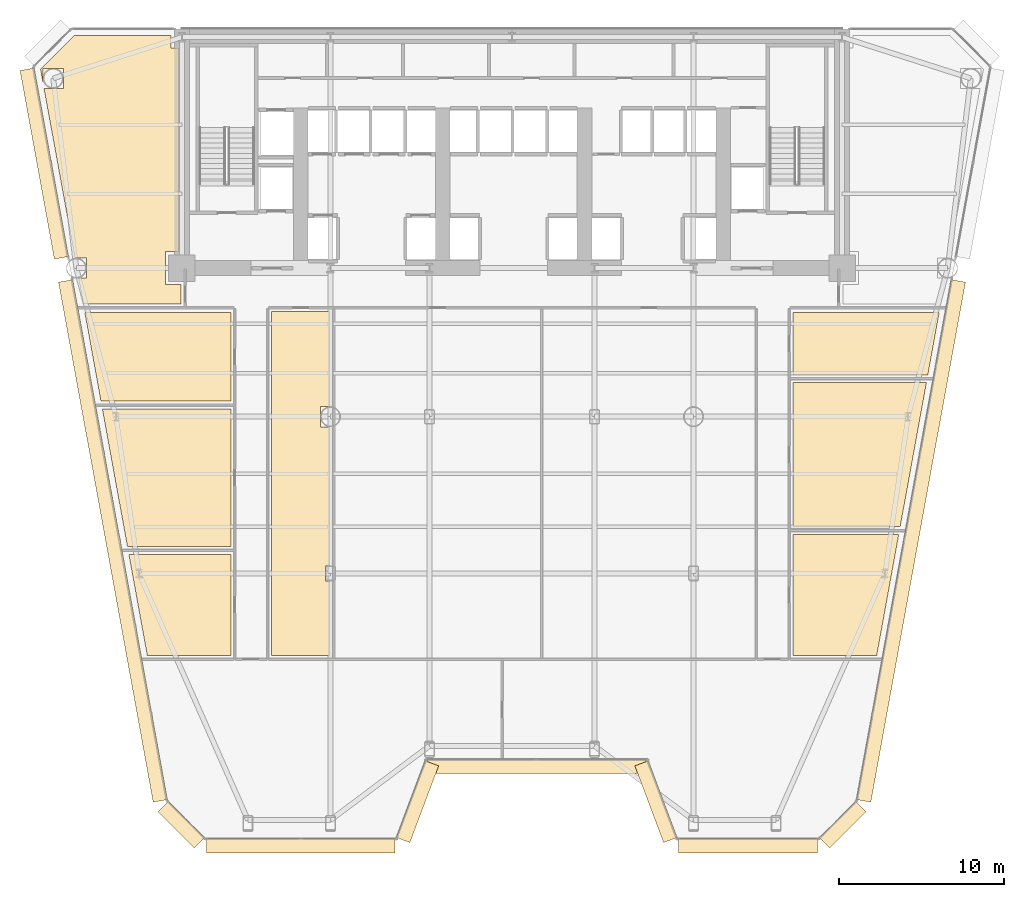
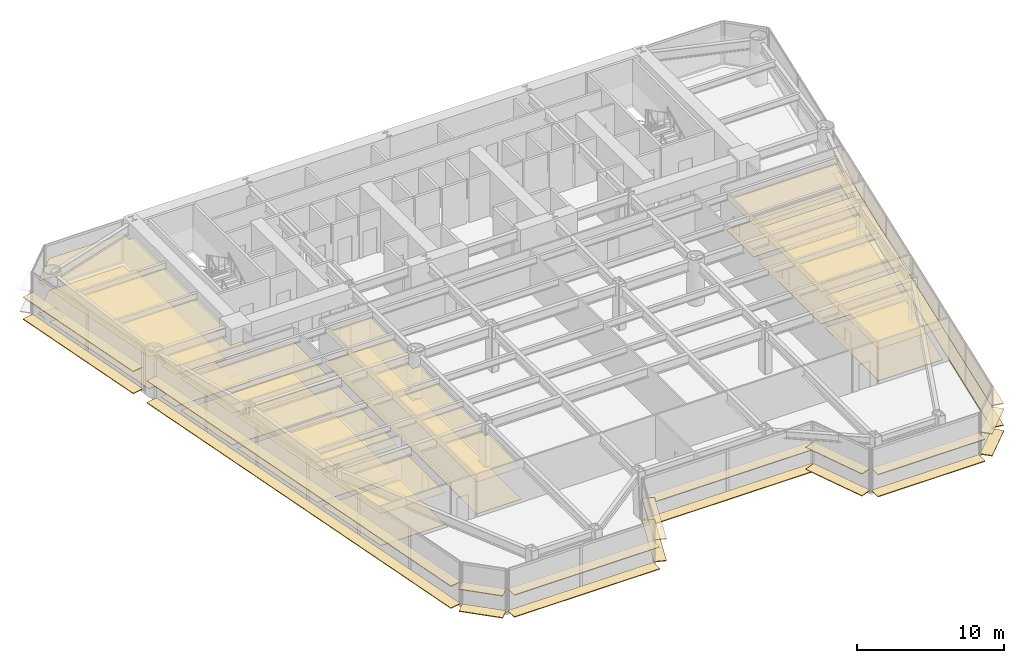
# One storey, part 11 of 14: 36 coverings.
"""IFC4 building model written with IfcOpenShell, lengths in metres."""

from ifc_helpers import new_model, si_unit, direction, frame, origin, origin_2d, place, context, subcontext, project, spatial, polyline, rectangle, outline, extrude, source, transform, mapped, material, layer, layer_set, type_object, element, save


model = new_model("IFC4")

# Units and contexts
model_context = context("Model", 3, precision=1e-05, world=origin(), true_north=direction((0.0, 1.0)))
body_context = subcontext(model_context, "Body", "Model", "MODEL_VIEW")
ifc_project = project(units=[si_unit("LENGTHUNIT", "METRE"), si_unit("AREAUNIT", "SQUARE_METRE"), si_unit("VOLUMEUNIT", "CUBIC_METRE"), si_unit("PLANEANGLEUNIT", "RADIAN"), si_unit("MASSUNIT", "GRAM", prefix="KILO")], contexts=[model_context])

# Site, building, storey
site_placement = place(None, origin())
site = spatial("IfcSite", under=ifc_project, at=site_placement, CompositionType="ELEMENT")
building_placement = place(site_placement, origin())
building = spatial("IfcBuilding", under=site, at=building_placement, Name="Vaeldorn Concourse Tower", CompositionType="ELEMENT")
storey_placement = place(building_placement, frame((0.0, 0.0, 49.199951171875)))
storey = spatial("IfcBuildingStorey", under=building, at=storey_placement, Name="L12", CompositionType="ELEMENT", Elevation=49.199951171875)

# Coverings
ifc_material_1 = material(Name="Acoustic Mineral Fibre Board", Category="gypsum")
ifc_layer_1 = layer(ifc_material_1, 0.0400390625)
ifc_layer_set_1 = layer_set([ifc_layer_1], Name="Acoustic Mineral Fibre Board")
covering_type_1 = type_object("IfcCoveringType", Name="COV-CEIL-ACOUSTIC", PredefinedType="CEILING", material=ifc_layer_set_1)
covering_1_placement = place(storey_placement, frame((0.0, 0.0, 2.650146484375)))
element("IfcCovering", 1, at=covering_1_placement, inside=storey, type_object=covering_type_1, Name="Suspended Acoustic Ceiling L12-4", PredefinedType="CEILING", context=body_context, shape_type="SweptSolid", body=[
    extrude(outline(polyline([(7.4658203125, 50.60009765625), (13.340087890625, 50.60009765625), (13.340087890625, 49.840087890625), (13.820068359375, 49.840087890625), (13.820068359375, 37.5), (13.0, 37.5), (13.0, 35.5), (13.93994140625, 35.5), (13.93994140625, 34.340087890625), (8.02099609375, 34.340087890625), (7.73876953125, 35.890380859375), (8.20947265625, 35.890380859375), (8.20947265625, 37.109619140625), (7.516845703125, 37.109619140625), (5.64501953125, 47.390380859375), (6.8095703125, 47.390380859375), (6.8095703125, 48.609619140625), (5.590576171875, 48.609619140625), (5.590576171875, 47.689697265625), (5.43115234375, 48.5654296875), (7.4658203125, 50.60009765625)])), origin(), (0.0, 0.0, 1.0), 0.039794921875),
])
covering_2_placement = place(storey_placement, frame((0.0, 0.0, 2.650146484375)))
element("IfcCovering", 2, at=covering_2_placement, inside=storey, type_object=covering_type_1, Name="Suspended Acoustic Ceiling L12-6", PredefinedType="CEILING", context=body_context, shape_type="SweptSolid", body=[
    extrude(outline(polyline([(16.9599609375, 19.159912109375), (16.9599609375, 13.0400390625), (11.89892578125, 13.0400390625), (10.78466796875, 19.159912109375), (16.9599609375, 19.159912109375)])), origin(), (0.0, 0.0, 1.0), 0.039794921875),
])
covering_3_placement = place(storey_placement, frame((0.0, 0.0, 2.650146484375)))
element("IfcCovering", 3, at=covering_3_placement, inside=storey, type_object=covering_type_1, Name="Suspended Acoustic Ceiling L12-7", PredefinedType="CEILING", context=body_context, shape_type="SweptSolid", body=[
    extrude(outline(polyline([(16.9599609375, 27.9599609375), (16.9599609375, 19.639892578125), (10.697265625, 19.639892578125), (9.1826171875, 27.9599609375), (16.9599609375, 27.9599609375)])), origin(), (0.0, 0.0, 1.0), 0.039794921875),
])
covering_4_placement = place(storey_placement, frame((0.0, 0.0, 2.650146484375)))
element("IfcCovering", 4, at=covering_4_placement, inside=storey, type_object=covering_type_1, Name="Suspended Acoustic Ceiling L12-8", PredefinedType="CEILING", context=body_context, shape_type="SweptSolid", body=[
    extrude(outline(polyline([(16.9599609375, 33.800048828125), (16.9599609375, 28.43994140625), (9.09521484375, 28.43994140625), (8.119140625, 33.800048828125), (16.9599609375, 33.800048828125)])), origin(), (0.0, 0.0, 1.0), 0.039794921875),
])
covering_5_placement = place(storey_placement, frame((0.0, 0.0, 2.650146484375)))
element("IfcCovering", 5, at=covering_5_placement, inside=storey, type_object=covering_type_1, Name="Suspended Acoustic Ceiling L12-9", PredefinedType="CEILING", context=body_context, shape_type="SweptSolid", body=[
    extrude(outline(polyline([(51.0400390625, 13.0400390625), (51.0400390625, 20.360107421875), (57.433837890625, 20.360107421875), (56.10107421875, 13.0400390625), (51.0400390625, 13.0400390625)])), origin(), (0.0, 0.0, 1.0), 0.039794921875),
])
covering_6_placement = place(storey_placement, frame((0.0, 0.0, 2.650146484375)))
element("IfcCovering", 6, at=covering_6_placement, inside=storey, type_object=covering_type_1, Name="Suspended Acoustic Ceiling L12-10", PredefinedType="CEILING", context=body_context, shape_type="SweptSolid", body=[
    extrude(outline(polyline([(51.0400390625, 20.840087890625), (51.0400390625, 29.56005859375), (59.10888671875, 29.56005859375), (57.521240234375, 20.840087890625), (51.0400390625, 20.840087890625)])), origin(), (0.0, 0.0, 1.0), 0.039794921875),
])
covering_7_placement = place(storey_placement, frame((0.0, 0.0, 2.650146484375)))
element("IfcCovering", 7, at=covering_7_placement, inside=storey, type_object=covering_type_1, Name="Suspended Acoustic Ceiling L12-11", PredefinedType="CEILING", context=body_context, shape_type="SweptSolid", body=[
    extrude(outline(polyline([(51.0400390625, 30.0400390625), (51.0400390625, 33.800048828125), (59.880859375, 33.800048828125), (59.1962890625, 30.0400390625), (51.0400390625, 30.0400390625)])), origin(), (0.0, 0.0, 1.0), 0.039794921875),
])
covering_8_placement = place(storey_placement, frame((0.0, 0.0, 2.650146484375)))
element("IfcCovering", 8, at=covering_8_placement, inside=storey, type_object=covering_type_1, Name="Suspended Acoustic Ceiling L12-12", PredefinedType="CEILING", context=body_context, shape_type="SweptSolid", body=[
    extrude(outline(polyline([(19.43994140625, 33.860107421875), (22.9599609375, 33.860107421875), (22.9599609375, 28.109619140625), (22.390380859375, 28.109619140625), (22.390380859375, 26.890380859375), (22.9599609375, 26.890380859375), (22.9599609375, 18.449951171875), (22.699951171875, 18.449951171875), (22.699951171875, 17.550048828125), (22.9599609375, 17.550048828125), (22.9599609375, 13.0400390625), (19.43994140625, 13.0400390625), (19.43994140625, 33.860107421875)])), origin(), (0.0, 0.0, 1.0), 0.039794921875),
])
ifc_material_2 = material(Name="Honed Limestone Terrazzo Flooring", Category="masonry")
ifc_layer_2 = layer(ifc_material_2, 0.0400390625)
ifc_layer_set_2 = layer_set([ifc_layer_2], Name="Honed Limestone Terrazzo Flooring")
covering_type_2 = type_object("IfcCoveringType", Name="COV-FLOOR-STONE", PredefinedType="FLOORING", material=ifc_layer_set_2)
covering_9_placement = place(storey_placement, origin())
element("IfcCovering", 9, at=covering_9_placement, inside=storey, type_object=covering_type_2, Name="Floor Finish Covering L12-4", PredefinedType="FLOORING", context=body_context, shape_type="SweptSolid", body=[
    extrude(outline(polyline([(7.4658203125, 50.60009765625), (13.340087890625, 50.60009765625), (13.340087890625, 49.840087890625), (13.820068359375, 49.840087890625), (13.820068359375, 37.5), (13.0, 37.5), (13.0, 35.5), (13.93994140625, 35.5), (13.93994140625, 34.340087890625), (8.02099609375, 34.340087890625), (7.73876953125, 35.890380859375), (8.20947265625, 35.890380859375), (8.20947265625, 37.109619140625), (7.516845703125, 37.109619140625), (5.64501953125, 47.390380859375), (6.8095703125, 47.390380859375), (6.8095703125, 48.609619140625), (5.590576171875, 48.609619140625), (5.590576171875, 47.689697265625), (5.43115234375, 48.5654296875), (7.4658203125, 50.60009765625)])), origin(), (0.0, 0.0, 1.0), 0.030029296875),
])
covering_10_placement = place(storey_placement, origin())
element("IfcCovering", 10, at=covering_10_placement, inside=storey, type_object=covering_type_2, Name="Floor Finish Covering L12-6", PredefinedType="FLOORING", context=body_context, shape_type="SweptSolid", body=[
    extrude(outline(polyline([(16.9599609375, 19.159912109375), (16.9599609375, 13.0400390625), (11.89892578125, 13.0400390625), (10.78466796875, 19.159912109375), (16.9599609375, 19.159912109375)])), origin(), (0.0, 0.0, 1.0), 0.030029296875),
])
covering_11_placement = place(storey_placement, origin())
element("IfcCovering", 11, at=covering_11_placement, inside=storey, type_object=covering_type_2, Name="Floor Finish Covering L12-7", PredefinedType="FLOORING", context=body_context, shape_type="SweptSolid", body=[
    extrude(outline(polyline([(16.9599609375, 27.9599609375), (16.9599609375, 19.639892578125), (10.697265625, 19.639892578125), (9.1826171875, 27.9599609375), (16.9599609375, 27.9599609375)])), origin(), (0.0, 0.0, 1.0), 0.030029296875),
])
covering_12_placement = place(storey_placement, origin())
element("IfcCovering", 12, at=covering_12_placement, inside=storey, type_object=covering_type_2, Name="Floor Finish Covering L12-8", PredefinedType="FLOORING", context=body_context, shape_type="SweptSolid", body=[
    extrude(outline(polyline([(16.9599609375, 33.800048828125), (16.9599609375, 28.43994140625), (9.09521484375, 28.43994140625), (8.119140625, 33.800048828125), (16.9599609375, 33.800048828125)])), origin(), (0.0, 0.0, 1.0), 0.030029296875),
])
covering_13_placement = place(storey_placement, origin())
element("IfcCovering", 13, at=covering_13_placement, inside=storey, type_object=covering_type_2, Name="Floor Finish Covering L12-9", PredefinedType="FLOORING", context=body_context, shape_type="SweptSolid", body=[
    extrude(outline(polyline([(51.0400390625, 13.0400390625), (51.0400390625, 20.360107421875), (57.433837890625, 20.360107421875), (56.10107421875, 13.0400390625), (51.0400390625, 13.0400390625)])), origin(), (0.0, 0.0, 1.0), 0.030029296875),
])
covering_14_placement = place(storey_placement, origin())
element("IfcCovering", 14, at=covering_14_placement, inside=storey, type_object=covering_type_2, Name="Floor Finish Covering L12-10", PredefinedType="FLOORING", context=body_context, shape_type="SweptSolid", body=[
    extrude(outline(polyline([(51.0400390625, 20.840087890625), (51.0400390625, 29.56005859375), (59.10888671875, 29.56005859375), (57.521240234375, 20.840087890625), (51.0400390625, 20.840087890625)])), origin(), (0.0, 0.0, 1.0), 0.030029296875),
])
covering_15_placement = place(storey_placement, origin())
element("IfcCovering", 15, at=covering_15_placement, inside=storey, type_object=covering_type_2, Name="Floor Finish Covering L12-11", PredefinedType="FLOORING", context=body_context, shape_type="SweptSolid", body=[
    extrude(outline(polyline([(51.0400390625, 30.0400390625), (51.0400390625, 33.800048828125), (59.880859375, 33.800048828125), (59.1962890625, 30.0400390625), (51.0400390625, 30.0400390625)])), origin(), (0.0, 0.0, 1.0), 0.030029296875),
])
covering_16_placement = place(storey_placement, origin())
element("IfcCovering", 16, at=covering_16_placement, inside=storey, type_object=covering_type_2, Name="Floor Finish Covering L12-12", PredefinedType="FLOORING", context=body_context, shape_type="SweptSolid", body=[
    extrude(outline(polyline([(19.43994140625, 33.860107421875), (22.9599609375, 33.860107421875), (22.9599609375, 28.109619140625), (22.390380859375, 28.109619140625), (22.390380859375, 26.890380859375), (22.9599609375, 26.890380859375), (22.9599609375, 18.449951171875), (22.699951171875, 18.449951171875), (22.699951171875, 17.550048828125), (22.9599609375, 17.550048828125), (22.9599609375, 13.0400390625), (19.43994140625, 13.0400390625), (19.43994140625, 33.860107421875)])), origin(), (0.0, 0.0, 1.0), 0.030029296875),
])
ifc_material_3 = material(Name="Anodised Bronze Aluminium", Category="aluminium")
ifc_layer_3 = layer(ifc_material_3, 0.06494140625)
ifc_layer_set_3 = layer_set([ifc_layer_3], Name="Anodised Bronze Aluminium")
covering_type_3 = type_object("IfcCoveringType", Name="SD-BRONZE-SUNSHADE", PredefinedType="USERDEFINED", material=ifc_layer_set_3)
shared_shape_1 = source(origin(), body_context, "Body", "SweptSolid", [
    extrude(rectangle(XDim=4.96630859375, YDim=0.8798828125, at=origin_2d()), origin(), (0.0, 0.0, 1.0), 0.06494140625),
])
for number, where, z_axis, x_axis, name in (
    (17, (28.2744140625, 4.172119140625, 0.047607421875), (0.0, 0.0, 1.0), (0.351122702609, 0.936329454686, 0.0), "Horizontal Bronze Sunshade L12-E02.1.1"),
    (18, (28.2744140625, 4.172119140625, 1.86767578125), (0.0, 0.0, 1.0), (0.351122702609, 0.936329454686, 0.0), "Horizontal Bronze Sunshade L12-E02.1.2"),
    (19, (42.7255859375, 4.172119140625, 0.047607421875), (0.0, 0.0, 1.0), (0.351122702609, -0.936329454686, 0.0), "Horizontal Bronze Sunshade L12-E04.1.1"),
    (20, (42.7255859375, 4.172119140625, 1.86767578125), (0.0, 0.0, 1.0), (0.351122702609, -0.936329454686, 0.0), "Horizontal Bronze Sunshade L12-E04.1.2"),
):
    element("IfcCovering", number, at=place(storey_placement, frame(where, z_axis=z_axis, x_axis=x_axis)), inside=storey, type_object=covering_type_3, Name=name, ObjectType="SUNSHADE", PredefinedType="USERDEFINED", context=body_context, shape_type="MappedRepresentation", body=[
        mapped(shared_shape_1, transform((0.0, 0.0, 0.0), scale=1.0)),
    ])
shared_shape_2 = source(origin(), body_context, "Body", "SweptSolid", [
    extrude(rectangle(XDim=13.239990234375, YDim=0.8798828125, at=origin_2d()), origin(), (0.0, 0.0, 1.0), 0.06494140625),
])
for number, where, z_axis, x_axis, name in (
    (21, (35.5, 6.3125, 0.047607421875), (0.0, 0.0, 1.0), (1.0, 0.0, 0.0), "Horizontal Bronze Sunshade L12-E03.1.1"),
    (22, (35.5, 6.3125, 1.86767578125), (0.0, 0.0, 1.0), (1.0, 0.0, 0.0), "Horizontal Bronze Sunshade L12-E03.1.2"),
):
    element("IfcCovering", number, at=place(storey_placement, frame(where, z_axis=z_axis, x_axis=x_axis)), inside=storey, type_object=covering_type_3, Name=name, ObjectType="SUNSHADE", PredefinedType="USERDEFINED", context=body_context, shape_type="MappedRepresentation", body=[
        mapped(shared_shape_2, transform((0.0, 0.0, 0.0), scale=1.0)),
    ])
shared_shape_3 = source(origin(), body_context, "Body", "SweptSolid", [
    extrude(rectangle(XDim=3.0927734375, YDim=0.8798828125, at=origin_2d()), origin(), (0.0, 0.0, 1.0), 0.06494140625),
])
for number, where, z_axis, x_axis, name in (
    (23, (54.033447265625, 2.77978515625, 0.047607421875), (0.0, 0.0, 1.0), (0.707106781187, 0.707106781187, 0.0), "Horizontal Bronze Sunshade L12-E06.1.1"),
    (24, (54.033447265625, 2.77978515625, 1.86767578125), (0.0, 0.0, 1.0), (0.707106781187, 0.707106781187, 0.0), "Horizontal Bronze Sunshade L12-E06.1.2"),
    (25, (13.966552734375, 2.77978515625, 0.047607421875), (0.0, 0.0, 1.0), (0.707106781187, -0.707106781187, 0.0), "Horizontal Bronze Sunshade L12-E12.1.1"),
    (26, (13.966552734375, 2.77978515625, 1.86767578125), (0.0, 0.0, 1.0), (0.707106781187, -0.707106781187, 0.0), "Horizontal Bronze Sunshade L12-E12.1.2"),
):
    element("IfcCovering", number, at=place(storey_placement, frame(where, z_axis=z_axis, x_axis=x_axis)), inside=storey, type_object=covering_type_3, Name=name, ObjectType="SUNSHADE", PredefinedType="USERDEFINED", context=body_context, shape_type="MappedRepresentation", body=[
        mapped(shared_shape_3, transform((0.0, 0.0, 0.0), scale=1.0)),
    ])
shared_shape_4 = source(origin(), body_context, "Body", "SweptSolid", [
    extrude(rectangle(XDim=11.440673828125, YDim=0.8798828125, at=origin_2d()), origin(), (0.0, 0.0, 1.0), 0.06494140625),
])
for number, where, z_axis, x_axis, name in (
    (27, (21.19970703125, 1.5126953125, 0.047607421875), (0.0, 0.0, 1.0), (1.0, 0.0, 0.0), "Horizontal Bronze Sunshade L12-E01.1.1"),
    (28, (21.19970703125, 1.5126953125, 1.86767578125), (0.0, 0.0, 1.0), (1.0, 0.0, 0.0), "Horizontal Bronze Sunshade L12-E01.1.2"),
):
    element("IfcCovering", number, at=place(storey_placement, frame(where, z_axis=z_axis, x_axis=x_axis)), inside=storey, type_object=covering_type_3, Name=name, ObjectType="SUNSHADE", PredefinedType="USERDEFINED", context=body_context, shape_type="MappedRepresentation", body=[
        mapped(shared_shape_4, transform((0.0, 0.0, 0.0), scale=1.0)),
    ])
shared_shape_5 = source(origin(), body_context, "Body", "SweptSolid", [
    extrude(rectangle(XDim=8.440673828125, YDim=0.8798828125, at=origin_2d()), origin(), (0.0, 0.0, 1.0), 0.06494140625),
])
for number, where, z_axis, x_axis, name in (
    (29, (48.30029296875, 1.5126953125, 0.047607421875), (0.0, 0.0, 1.0), (1.0, 0.0, 0.0), "Horizontal Bronze Sunshade L12-E05.1.1"),
    (30, (48.30029296875, 1.5126953125, 1.86767578125), (0.0, 0.0, 1.0), (1.0, 0.0, 0.0), "Horizontal Bronze Sunshade L12-E05.1.2"),
):
    element("IfcCovering", number, at=place(storey_placement, frame(where, z_axis=z_axis, x_axis=x_axis)), inside=storey, type_object=covering_type_3, Name=name, ObjectType="SUNSHADE", PredefinedType="USERDEFINED", context=body_context, shape_type="MappedRepresentation", body=[
        mapped(shared_shape_5, transform((0.0, 0.0, 0.0), scale=1.0)),
    ])
shared_shape_6 = source(origin(), body_context, "Body", "SweptSolid", [
    extrude(rectangle(XDim=32.028564453125, YDim=0.8798828125, at=origin_2d()), origin(), (0.0, 0.0, 1.0), 0.06494140625),
])
for number, where, z_axis, x_axis, name in (
    (31, (58.177001953125, 19.974853515625, 0.047607421875), (0.0, 0.0, 1.0), (0.179111302888, 0.983828817009, 0.0), "Horizontal Bronze Sunshade L12-E07.1.1"),
    (32, (58.177001953125, 19.974853515625, 1.86767578125), (0.0, 0.0, 1.0), (0.179111302888, 0.983828817009, 0.0), "Horizontal Bronze Sunshade L12-E07.1.2"),
    (33, (9.822998046875, 19.974853515625, 0.047607421875), (0.0, 0.0, 1.0), (0.179111302888, -0.983828817009, 0.0), "Horizontal Bronze Sunshade L12-E11.2.1"),
    (34, (9.822998046875, 19.974853515625, 1.86767578125), (0.0, 0.0, 1.0), (0.179111302888, -0.983828817009, 0.0), "Horizontal Bronze Sunshade L12-E11.2.2"),
):
    element("IfcCovering", number, at=place(storey_placement, frame(where, z_axis=z_axis, x_axis=x_axis)), inside=storey, type_object=covering_type_3, Name=name, ObjectType="SUNSHADE", PredefinedType="USERDEFINED", context=body_context, shape_type="MappedRepresentation", body=[
        mapped(shared_shape_6, transform((0.0, 0.0, 0.0), scale=1.0)),
    ])
shared_shape_7 = source(origin(), body_context, "Body", "SweptSolid", [
    extrude(rectangle(XDim=11.61083984375, YDim=0.8798828125, at=origin_2d()), origin(), (0.0, 0.0, 1.0), 0.06494140625),
])
for number, where, z_axis, x_axis, name in (
    (35, (5.66064453125, 42.838134765625, 0.047607421875), (0.0, 0.0, 1.0), (0.179128473913, -0.983825690777, 0.0), "Horizontal Bronze Sunshade L12-E11.1.1"),
    (36, (5.66064453125, 42.838134765625, 1.86767578125), (0.0, 0.0, 1.0), (0.179128473913, -0.983825690777, 0.0), "Horizontal Bronze Sunshade L12-E11.1.2"),
):
    element("IfcCovering", number, at=place(storey_placement, frame(where, z_axis=z_axis, x_axis=x_axis)), inside=storey, type_object=covering_type_3, Name=name, ObjectType="SUNSHADE", PredefinedType="USERDEFINED", context=body_context, shape_type="MappedRepresentation", body=[
        mapped(shared_shape_7, transform((0.0, 0.0, 0.0), scale=1.0)),
    ])

save(model, "model.ifc")
